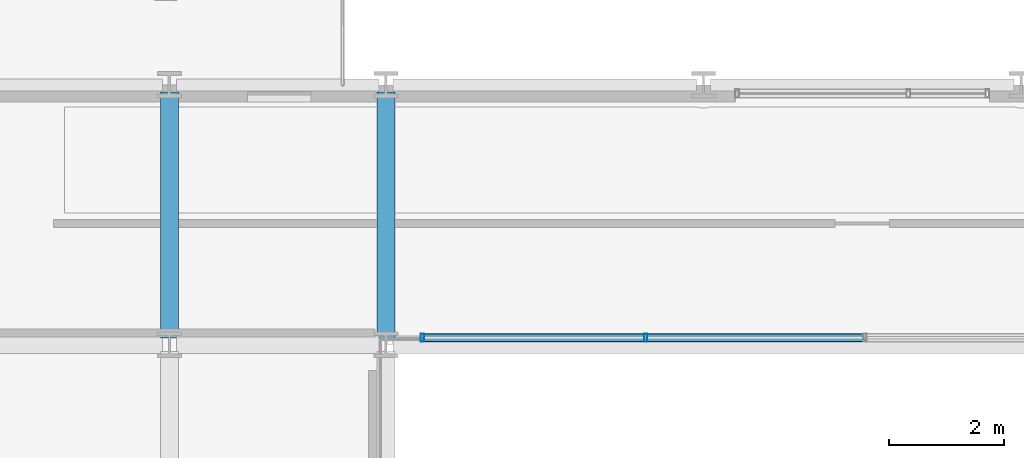
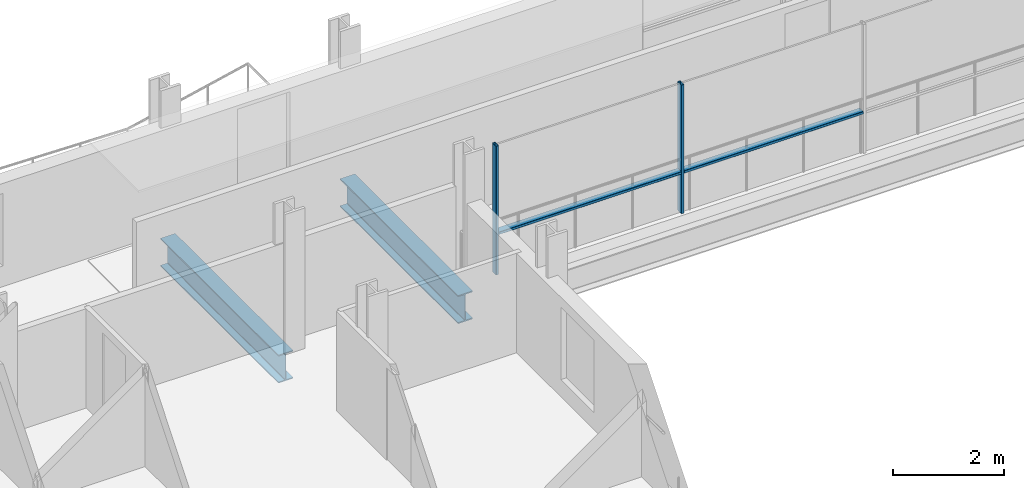
# One storey, part 9 of 41: 4 members, 2 beams, 1 element without a shape of its own.
"""IFC4 building model written with IfcOpenShell, lengths in metres."""

from ifc_helpers import new_model, si_unit, direction, frame, origin, origin_2d, place, context, subcontext, project, spatial, hollow_rectangle, i_section, extrude, material, layer, layer_set, material_profile, profile_set, type_object, element, aggregate, save


model = new_model("IFC4")

# Units and contexts
model_context = context("Model", 3, precision=1e-05, world=origin(), true_north=direction((0.0, 1.0)))
body_context = subcontext(model_context, "Body", "Model", "MODEL_VIEW")
ifc_project = project(units=[si_unit("LENGTHUNIT", "METRE"), si_unit("AREAUNIT", "SQUARE_METRE"), si_unit("VOLUMEUNIT", "CUBIC_METRE"), si_unit("PLANEANGLEUNIT", "RADIAN"), si_unit("MASSUNIT", "GRAM", prefix="KILO")], contexts=[model_context])

# Site, building, storey
site_placement = place(None, origin())
site = spatial("IfcSite", under=ifc_project, at=site_placement, CompositionType="ELEMENT")
building_placement = place(site_placement, origin())
building = spatial("IfcBuilding", under=site, at=building_placement, Name="Brevholm Reach", CompositionType="ELEMENT")
storey_placement = place(building_placement, frame((0.0, 0.0, 93.10009765625)))
storey = spatial("IfcBuildingStorey", under=building, at=storey_placement, Name="L27", CompositionType="ELEMENT", Elevation=93.10009765625)

# Beams
ifc_material_1 = material(Name="Structural Steel S355J2", Category="steel")
ifc_material_profile_1 = material_profile(ifc_material_1, i_section(OverallWidth=0.30712890625, OverallDepth=0.6201171875, WebThickness=0.01416015625, FlangeThickness=0.023681640625, FilletRadius=0.0166015625, at=origin_2d()), Name="UKB 610x305x179")
ifc_profile_set_1 = profile_set([ifc_material_profile_1], Name="Structural Steel S355J2")
beam_type = type_object("IfcBeamType", Name="BM-UKB610H", PredefinedType="USERDEFINED", material=ifc_profile_set_1)
for number, where, z_axis, x_axis, name in (
    (1, (18.0, 26.6201171875, -0.540283203125), (0.0, 1.0, 0.0), (-1.0, 0.0, 0.0), "L27 G-06 Framing Beam"),
    (2, (21.75, 26.6201171875, -0.540283203125), (0.0, 1.0, 0.0), (-1.0, 0.0, 0.0), "L27 G-06 Framing Beam"),
):
    element("IfcBeam", number, at=place(storey_placement, frame(where, z_axis=z_axis, x_axis=x_axis)), inside=storey, type_object=beam_type, Name=name, ObjectType="GIRDER", PredefinedType="USERDEFINED", context=body_context, shape_type="SweptSolid", body=[
        extrude(i_section(OverallWidth=0.30712890625, OverallDepth=0.6201171875, WebThickness=0.01416015625, FlangeThickness=0.023681640625, FilletRadius=0.0166015625, at=origin_2d()), origin(), (0.0, 0.0, 1.0), 4.259765625),
    ])

# Curtain wall, members
ifc_material_2 = material(Name="Dark Anodised Aluminium 6063-T6 and Solar-Control Glass", Category="aluminium")
ifc_layer = layer(ifc_material_2, 0.139892578125)
ifc_layer_set = layer_set([ifc_layer], Name="Dark Anodised Aluminium 6063-T6 and Solar-Control Glass")
curtain_wall_type = type_object("IfcCurtainWallType", Name="CW-02", PredefinedType="NOTDEFINED", material=ifc_layer_set)
curtain_wall_placement = place(storey_placement, origin())
curtain_wall = element("IfcCurtainWall", 3, at=curtain_wall_placement, inside=storey, type_object=curtain_wall_type, Name="L27 Curtain Wall CW-02", PredefinedType="NOTDEFINED")
ifc_material_3 = material(Name="Dark Anodised Aluminium 6063-T6", Category="aluminium")
ifc_material_profile_2 = material_profile(ifc_material_3, hollow_rectangle(XDim=0.06005859375, YDim=0.139892578125, WallThickness=0.0048828125, InnerFilletRadius=0.0048828125, OuterFilletRadius=0.010009765625, at=origin_2d()), Name="RHS 140x60x5")
ifc_profile_set_2 = profile_set([ifc_material_profile_2], Name="Dark Anodised Aluminium 6063-T6")
member_type_1 = type_object("IfcMemberType", Name="CWM-140", PredefinedType="MULLION", material=ifc_profile_set_2)
member_1_placement = place(storey_placement, frame((26.25, 26.6201171875, 0.0), z_axis=(0.0, 0.0, 1.0), x_axis=(-1.0, 0.0, 0.0)))
member_1 = element("IfcMember", 4, at=member_1_placement, type_object=member_type_1, Name="CM-140 Mullion 4", PredefinedType="MULLION", context=body_context, shape_type="SweptSolid", body=[
    extrude(hollow_rectangle(XDim=0.06005859375, YDim=0.139892578125, WallThickness=0.0048828125, InnerFilletRadius=0.0048828125, OuterFilletRadius=0.010009765625, at=origin_2d()), origin(), (0.0, 0.0, 1.0), 2.83984375),
])
member_2_placement = place(storey_placement, frame((22.3798828125, 26.6201171875, 0.0), z_axis=(0.0, 0.0, 1.0), x_axis=(-1.0, 0.0, 0.0)))
member_2 = element("IfcMember", 5, at=member_2_placement, type_object=member_type_1, Name="CM-140 Mullion 5", PredefinedType="MULLION", context=body_context, shape_type="SweptSolid", body=[
    extrude(hollow_rectangle(XDim=0.06005859375, YDim=0.139892578125, WallThickness=0.0048828125, InnerFilletRadius=0.0048828125, OuterFilletRadius=0.010009765625, at=origin_2d()), origin(), (0.0, 0.0, 1.0), 2.83984375),
])
ifc_material_4 = material(Name="Dark Anodised Aluminium 6063-T6", Category="aluminium")
ifc_material_profile_3 = material_profile(ifc_material_4, hollow_rectangle(XDim=0.06005859375, YDim=0.139892578125, WallThickness=0.0048828125, InnerFilletRadius=0.0048828125, OuterFilletRadius=0.010009765625, at=origin_2d()), Name="RHS 140x60x5")
ifc_profile_set_3 = profile_set([ifc_material_profile_3], Name="Dark Anodised Aluminium 6063-T6")
member_type_2 = type_object("IfcMemberType", Name="CWT-140", PredefinedType="NOTDEFINED", material=ifc_profile_set_3)
member_3_placement = place(storey_placement, frame((30.02001953125, 26.6201171875, 0.89990234375), z_axis=(-1.0, 0.0, 0.0), x_axis=(0.0, 0.0, 1.0)))
member_3 = element("IfcMember", 6, at=member_3_placement, type_object=member_type_2, Name="CT-140 Transom 3.1", ObjectType="TRANSOM", PredefinedType="USERDEFINED", context=body_context, shape_type="SweptSolid", body=[
    extrude(hollow_rectangle(XDim=0.06005859375, YDim=0.139892578125, WallThickness=0.0048828125, InnerFilletRadius=0.0048828125, OuterFilletRadius=0.010009765625, at=origin_2d()), origin(), (0.0, 0.0, 1.0), 3.739990234375),
])
member_4_placement = place(storey_placement, frame((26.219970703125, 26.6201171875, 0.89990234375), z_axis=(-1.0, 0.0, 0.0), x_axis=(0.0, 0.0, 1.0)))
member_4 = element("IfcMember", 7, at=member_4_placement, type_object=member_type_2, Name="CT-140 Transom 4.1", ObjectType="TRANSOM", PredefinedType="USERDEFINED", context=body_context, shape_type="SweptSolid", body=[
    extrude(hollow_rectangle(XDim=0.06005859375, YDim=0.139892578125, WallThickness=0.0048828125, InnerFilletRadius=0.0048828125, OuterFilletRadius=0.010009765625, at=origin_2d()), origin(), (0.0, 0.0, 1.0), 3.81005859375),
])
aggregate(curtain_wall, [member_1, member_2, member_3, member_4])

save(model, "model.ifc")
